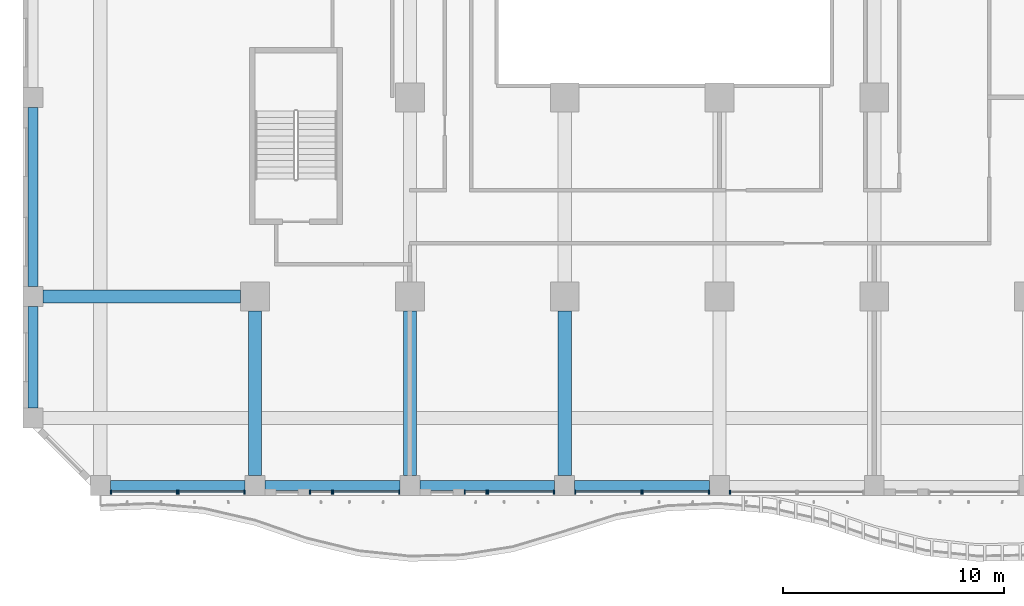
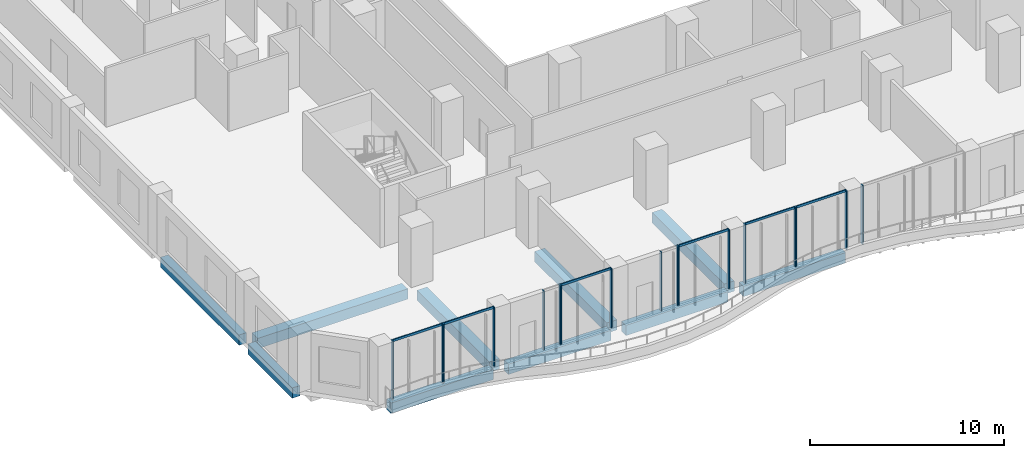
# One storey, part 2 of 25: 23 members, 10 beams, 9 elements without a shape of their own.
"""IFC4 building model written with IfcOpenShell, lengths in metres."""

from ifc_helpers import new_model, si_unit, direction, frame, origin, origin_2d, place, context, subcontext, project, spatial, rectangle, extrude, source, transform, mapped, material, material_profile, profile_set, type_object, element, aggregate, save


model = new_model("IFC4")

# Units and contexts
model_context = context("Model", 3, precision=1e-05, world=origin(), true_north=direction((0.0, 1.0)))
body_context = subcontext(model_context, "Body", "Model", "MODEL_VIEW")
ifc_project = project(units=[si_unit("LENGTHUNIT", "METRE"), si_unit("AREAUNIT", "SQUARE_METRE"), si_unit("VOLUMEUNIT", "CUBIC_METRE"), si_unit("PLANEANGLEUNIT", "RADIAN"), si_unit("MASSUNIT", "GRAM", prefix="KILO")], contexts=[model_context])

# Site, building, storey
site_placement = place(None, origin())
site = spatial("IfcSite", under=ifc_project, at=site_placement, CompositionType="ELEMENT")
building_placement = place(site_placement, origin())
building = spatial("IfcBuilding", under=site, at=building_placement, Name="Kilnfold Tower and Market Hall", CompositionType="ELEMENT")
storey_placement = place(building_placement, frame((0.0, 0.0, 39.0)))
storey = spatial("IfcBuildingStorey", under=building, at=storey_placement, Name="L08", CompositionType="ELEMENT", Elevation=39.0)

# Beams
ifc_material_1 = material(Name="Concrete C45", Category="concrete")
ifc_material_profile_1 = material_profile(ifc_material_1, rectangle(XDim=0.449951171875, YDim=0.64990234375, at=origin_2d()), Name="RC 450x650")
ifc_profile_set_1 = profile_set([ifc_material_profile_1], Name="Concrete C45")
beam_type_1 = type_object("IfcBeamType", Name="EDGE BEAM 450X650 C45", PredefinedType="BEAM", material=ifc_profile_set_1)
shared_shape_1 = source(origin(), body_context, "Body", "SweptSolid", [
    extrude(rectangle(XDim=0.449951171875, YDim=0.64990234375, at=origin_2d()), origin(), (0.0, 0.0, 1.0), 6.10009765625),
])
for number, where, z_axis, x_axis, name in (
    (1, (-24.050048828125, -27.550048828125, -0.60498046875), (1.0, 0.0, 0.0), (0.0, 1.0, 0.0), "Beam EB650-B1.1"),
    (2, (-17.050048828125, -27.550048828125, -0.60498046875), (1.0, 0.0, 0.0), (0.0, 1.0, 0.0), "Beam EB650-B1.54"),
    (3, (-10.050048828125, -27.550048828125, -0.60498046875), (1.0, 0.0, 0.0), (0.0, 1.0, 0.0), "Beam EB650-B1.2"),
    (4, (-3.050048828125, -27.550048828125, -0.60498046875), (1.0, 0.0, 0.0), (0.0, 1.0, 0.0), "Beam EB650-B1.3"),
):
    element("IfcBeam", number, at=place(storey_placement, frame(where, z_axis=z_axis, x_axis=x_axis)), inside=storey, type_object=beam_type_1, Name=name, PredefinedType="BEAM", context=body_context, shape_type="MappedRepresentation", body=[
        mapped(shared_shape_1, transform((0.0, 0.0, 0.0))),
    ])
ifc_material_2 = material(Name="Concrete C45", Category="concrete")
ifc_material_profile_2 = material_profile(ifc_material_2, rectangle(XDim=0.60009765625, YDim=0.64990234375, at=origin_2d()), Name="RC 600x650")
ifc_profile_set_2 = profile_set([ifc_material_profile_2], Name="Concrete C45")
beam_type_2 = type_object("IfcBeamType", Name="BEAM 600X650 C45", PredefinedType="BEAM", material=ifc_profile_set_2)
shared_shape_2 = source(origin(), body_context, "Body", "SweptSolid", [
    extrude(rectangle(XDim=0.60009765625, YDim=0.64990234375, at=origin_2d()), origin(), (0.0, 0.0, 1.0), 8.9501953125),
])
beam_1_placement = place(storey_placement, frame((-27.10009765625, -19.0, -0.60498046875), z_axis=(1.0, 0.0, 0.0), x_axis=(0.0, 1.0, 0.0)))
element("IfcBeam", 5, at=beam_1_placement, inside=storey, type_object=beam_type_2, Name="Beam BB650-B1.7", PredefinedType="BEAM", context=body_context, shape_type="MappedRepresentation", body=[
    mapped(shared_shape_2, transform((0.0, 0.0, 0.0))),
])
shared_shape_3 = source(origin(), body_context, "Body", "SweptSolid", [
    extrude(rectangle(XDim=0.449951171875, YDim=0.64990234375, at=origin_2d()), origin(), (0.0, 0.0, 1.0), 4.60009765625),
])
beam_2_placement = place(storey_placement, frame((-27.550048828125, -24.050048828125, -0.60498046875), z_axis=(0.0, 1.0, 0.0), x_axis=(-1.0, 0.0, 0.0)))
element("IfcBeam", 6, at=beam_2_placement, inside=storey, type_object=beam_type_1, Name="Beam EB650-B1.30", PredefinedType="BEAM", context=body_context, shape_type="MappedRepresentation", body=[
    mapped(shared_shape_3, transform((0.0, 0.0, 0.0))),
])
shared_shape_4 = source(origin(), body_context, "Body", "SweptSolid", [
    extrude(rectangle(XDim=0.449951171875, YDim=0.64990234375, at=origin_2d()), origin(), (0.0, 0.0, 1.0), 8.10009765625),
])
beam_3_placement = place(storey_placement, frame((-27.550048828125, -18.550048828125, -0.60498046875), z_axis=(0.0, 1.0, 0.0), x_axis=(-1.0, 0.0, 0.0)))
element("IfcBeam", 7, at=beam_3_placement, inside=storey, type_object=beam_type_1, Name="Beam EB650-B1.31", PredefinedType="BEAM", context=body_context, shape_type="MappedRepresentation", body=[
    mapped(shared_shape_4, transform((0.0, 0.0, 0.0))),
])
shared_shape_5 = source(origin(), body_context, "Body", "SweptSolid", [
    extrude(rectangle(XDim=0.60009765625, YDim=0.64990234375, at=origin_2d()), origin(), (0.0, 0.0, 1.0), 7.4501953125),
])
for number, where, z_axis, x_axis, name in (
    (8, (-17.5, -27.10009765625, -0.60498046875), (0.0, 1.0, 0.0), (-1.0, 0.0, 0.0), "Beam BB650-B1.36"),
    (9, (-10.5, -27.10009765625, -0.60498046875), (0.0, 1.0, 0.0), (-1.0, 0.0, 0.0), "Beam BB650-B1.40"),
    (10, (-3.5, -27.10009765625, -0.60498046875), (0.0, 1.0, 0.0), (-1.0, 0.0, 0.0), "Beam BB650-B1.43"),
):
    element("IfcBeam", number, at=place(storey_placement, frame(where, z_axis=z_axis, x_axis=x_axis)), inside=storey, type_object=beam_type_2, Name=name, PredefinedType="BEAM", context=body_context, shape_type="MappedRepresentation", body=[
        mapped(shared_shape_5, transform((0.0, 0.0, 0.0))),
    ])

# Curtain wall, members
ifc_material_3 = material(Name="Aluminium and double glazing", Category="aluminium")
curtain_wall_type = type_object("IfcCurtainWallType", Name="CW OF1 VALLEY GLAZING", PredefinedType="NOTDEFINED", material=ifc_material_3)
curtain_wall_1_placement = place(storey_placement, origin())
curtain_wall_1 = element("IfcCurtainWall", 11, at=curtain_wall_1_placement, inside=storey, type_object=curtain_wall_type, Name="Curtain wall CW1 L08 S", PredefinedType="NOTDEFINED")
ifc_material_4 = material(Name="Aluminium", Category="aluminium")
ifc_material_profile_3 = material_profile(ifc_material_4, rectangle(XDim=0.06005859375, YDim=0.179931640625, at=origin_2d()), Name="MULLION 60x180")
ifc_profile_set_3 = profile_set([ifc_material_profile_3], Name="Aluminium")
member_type_1 = type_object("IfcMemberType", Name="MULLION 60X180", PredefinedType="MULLION", material=ifc_profile_set_3)
shared_shape_6 = source(origin(), body_context, "Body", "SweptSolid", [
    extrude(rectangle(XDim=0.06005859375, YDim=0.179931640625, at=origin_2d()), origin(), (0.0, 0.0, 1.0), 3.719970703125),
])
member_1_placement = place(storey_placement, frame((-24.02001953125, -27.85009765625, 0.0), z_axis=(0.0, 0.0, 1.0), x_axis=(1.0, 0.0, 0.0)))
member_1 = element("IfcMember", 12, at=member_1_placement, type_object=member_type_1, Name="CW1 mullion 1", PredefinedType="MULLION", context=body_context, shape_type="MappedRepresentation", body=[
    mapped(shared_shape_6, transform((0.0, 0.0, 0.0))),
])
member_2_placement = place(storey_placement, frame((-21.030029296875, -27.85009765625, 0.0), z_axis=(0.0, 0.0, 1.0), x_axis=(1.0, 0.0, 0.0)))
member_2 = element("IfcMember", 13, at=member_2_placement, type_object=member_type_1, Name="CW1 mullion 2", PredefinedType="MULLION", context=body_context, shape_type="MappedRepresentation", body=[
    mapped(shared_shape_6, transform((0.0, 0.0, 0.0))),
])

curtain_wall_2_placement = place(storey_placement, origin())
curtain_wall_2 = element("IfcCurtainWall", 14, at=curtain_wall_2_placement, inside=storey, type_object=curtain_wall_type, Name="Curtain wall CW1 L08 S", PredefinedType="NOTDEFINED")
member_3_placement = place(storey_placement, frame((-20.969970703125, -27.85009765625, 0.0), z_axis=(0.0, 0.0, 1.0), x_axis=(1.0, 0.0, 0.0)))
member_3 = element("IfcMember", 15, at=member_3_placement, type_object=member_type_1, Name="CW1 mullion 1", PredefinedType="MULLION", context=body_context, shape_type="MappedRepresentation", body=[
    mapped(shared_shape_6, transform((0.0, 0.0, 0.0))),
])
member_4_placement = place(storey_placement, frame((-17.97998046875, -27.85009765625, 0.0), z_axis=(0.0, 0.0, 1.0), x_axis=(1.0, 0.0, 0.0)))
member_4 = element("IfcMember", 16, at=member_4_placement, type_object=member_type_1, Name="CW1 mullion 2", PredefinedType="MULLION", context=body_context, shape_type="MappedRepresentation", body=[
    mapped(shared_shape_6, transform((0.0, 0.0, 0.0))),
])

curtain_wall_3_placement = place(storey_placement, origin())
curtain_wall_3 = element("IfcCurtainWall", 17, at=curtain_wall_3_placement, inside=storey, type_object=curtain_wall_type, Name="Curtain wall CW1 L08 S", PredefinedType="NOTDEFINED")
member_5_placement = place(storey_placement, frame((-15.02001953125, -27.85009765625, 0.0), z_axis=(0.0, 0.0, 1.0), x_axis=(1.0, 0.0, 0.0)))
member_5 = element("IfcMember", 18, at=member_5_placement, type_object=member_type_1, Name="CW1 mullion 1", PredefinedType="MULLION", context=body_context, shape_type="MappedRepresentation", body=[
    mapped(shared_shape_6, transform((0.0, 0.0, 0.0))),
])
member_6_placement = place(storey_placement, frame((-14.030029296875, -27.85009765625, 0.0), z_axis=(0.0, 0.0, 1.0), x_axis=(1.0, 0.0, 0.0)))
member_6 = element("IfcMember", 19, at=member_6_placement, type_object=member_type_1, Name="CW1 mullion 2", PredefinedType="MULLION", context=body_context, shape_type="MappedRepresentation", body=[
    mapped(shared_shape_6, transform((0.0, 0.0, 0.0))),
])
aggregate(curtain_wall_3, [member_5, member_6])

curtain_wall_4_placement = place(storey_placement, origin())
curtain_wall_4 = element("IfcCurtainWall", 20, at=curtain_wall_4_placement, inside=storey, type_object=curtain_wall_type, Name="Curtain wall CW1 L08 S", PredefinedType="NOTDEFINED")
member_7_placement = place(storey_placement, frame((-13.969970703125, -27.85009765625, 0.0), z_axis=(0.0, 0.0, 1.0), x_axis=(1.0, 0.0, 0.0)))
member_7 = element("IfcMember", 21, at=member_7_placement, type_object=member_type_1, Name="CW1 mullion 1", PredefinedType="MULLION", context=body_context, shape_type="MappedRepresentation", body=[
    mapped(shared_shape_6, transform((0.0, 0.0, 0.0))),
])
member_8_placement = place(storey_placement, frame((-10.97998046875, -27.85009765625, 0.0), z_axis=(0.0, 0.0, 1.0), x_axis=(1.0, 0.0, 0.0)))
member_8 = element("IfcMember", 22, at=member_8_placement, type_object=member_type_1, Name="CW1 mullion 2", PredefinedType="MULLION", context=body_context, shape_type="MappedRepresentation", body=[
    mapped(shared_shape_6, transform((0.0, 0.0, 0.0))),
])

curtain_wall_5_placement = place(storey_placement, origin())
curtain_wall_5 = element("IfcCurtainWall", 23, at=curtain_wall_5_placement, inside=storey, type_object=curtain_wall_type, Name="Curtain wall CW1 L08 S", PredefinedType="NOTDEFINED")
member_9_placement = place(storey_placement, frame((-8.02001953125, -27.85009765625, 0.0), z_axis=(0.0, 0.0, 1.0), x_axis=(1.0, 0.0, 0.0)))
member_9 = element("IfcMember", 24, at=member_9_placement, type_object=member_type_1, Name="CW1 mullion 1", PredefinedType="MULLION", context=body_context, shape_type="MappedRepresentation", body=[
    mapped(shared_shape_6, transform((0.0, 0.0, 0.0))),
])
member_10_placement = place(storey_placement, frame((-7.030029296875, -27.85009765625, 0.0), z_axis=(0.0, 0.0, 1.0), x_axis=(1.0, 0.0, 0.0)))
member_10 = element("IfcMember", 25, at=member_10_placement, type_object=member_type_1, Name="CW1 mullion 2", PredefinedType="MULLION", context=body_context, shape_type="MappedRepresentation", body=[
    mapped(shared_shape_6, transform((0.0, 0.0, 0.0))),
])
aggregate(curtain_wall_5, [member_9, member_10])

curtain_wall_6_placement = place(storey_placement, origin())
curtain_wall_6 = element("IfcCurtainWall", 26, at=curtain_wall_6_placement, inside=storey, type_object=curtain_wall_type, Name="Curtain wall CW1 L08 S", PredefinedType="NOTDEFINED")
member_11_placement = place(storey_placement, frame((-6.969970703125, -27.85009765625, 0.0), z_axis=(0.0, 0.0, 1.0), x_axis=(1.0, 0.0, 0.0)))
member_11 = element("IfcMember", 27, at=member_11_placement, type_object=member_type_1, Name="CW1 mullion 1", PredefinedType="MULLION", context=body_context, shape_type="MappedRepresentation", body=[
    mapped(shared_shape_6, transform((0.0, 0.0, 0.0))),
])
member_12_placement = place(storey_placement, frame((-3.97998046875, -27.85009765625, 0.0), z_axis=(0.0, 0.0, 1.0), x_axis=(1.0, 0.0, 0.0)))
member_12 = element("IfcMember", 28, at=member_12_placement, type_object=member_type_1, Name="CW1 mullion 2", PredefinedType="MULLION", context=body_context, shape_type="MappedRepresentation", body=[
    mapped(shared_shape_6, transform((0.0, 0.0, 0.0))),
])

curtain_wall_7_placement = place(storey_placement, origin())
curtain_wall_7 = element("IfcCurtainWall", 29, at=curtain_wall_7_placement, inside=storey, type_object=curtain_wall_type, Name="Curtain wall CW1 L08 S", PredefinedType="NOTDEFINED")
member_13_placement = place(storey_placement, frame((-3.02001953125, -27.85009765625, 0.0), z_axis=(0.0, 0.0, 1.0), x_axis=(1.0, 0.0, 0.0)))
member_13 = element("IfcMember", 30, at=member_13_placement, type_object=member_type_1, Name="CW1 mullion 1", PredefinedType="MULLION", context=body_context, shape_type="MappedRepresentation", body=[
    mapped(shared_shape_6, transform((0.0, 0.0, 0.0))),
])
member_14_placement = place(storey_placement, frame((-0.030029296875, -27.85009765625, 0.0), z_axis=(0.0, 0.0, 1.0), x_axis=(1.0, 0.0, 0.0)))
member_14 = element("IfcMember", 31, at=member_14_placement, type_object=member_type_1, Name="CW1 mullion 2", PredefinedType="MULLION", context=body_context, shape_type="MappedRepresentation", body=[
    mapped(shared_shape_6, transform((0.0, 0.0, 0.0))),
])

curtain_wall_8_placement = place(storey_placement, origin())
curtain_wall_8 = element("IfcCurtainWall", 32, at=curtain_wall_8_placement, inside=storey, type_object=curtain_wall_type, Name="Curtain wall CW1 L08 S", PredefinedType="NOTDEFINED")
member_15_placement = place(storey_placement, frame((0.030029296875, -27.85009765625, 0.0), z_axis=(0.0, 0.0, 1.0), x_axis=(1.0, 0.0, 0.0)))
member_15 = element("IfcMember", 33, at=member_15_placement, type_object=member_type_1, Name="CW1 mullion 1", PredefinedType="MULLION", context=body_context, shape_type="MappedRepresentation", body=[
    mapped(shared_shape_6, transform((0.0, 0.0, 0.0))),
])
member_16_placement = place(storey_placement, frame((3.02001953125, -27.85009765625, 0.0), z_axis=(0.0, 0.0, 1.0), x_axis=(1.0, 0.0, 0.0)))
member_16 = element("IfcMember", 34, at=member_16_placement, type_object=member_type_1, Name="CW1 mullion 2", PredefinedType="MULLION", context=body_context, shape_type="MappedRepresentation", body=[
    mapped(shared_shape_6, transform((0.0, 0.0, 0.0))),
])

# Curtain wall, member
curtain_wall_9_placement = place(storey_placement, origin())
curtain_wall_9 = element("IfcCurtainWall", 35, at=curtain_wall_9_placement, inside=storey, type_object=curtain_wall_type, Name="Curtain wall CW1 L08 S", PredefinedType="NOTDEFINED")
member_17_placement = place(storey_placement, frame((3.97998046875, -27.85009765625, 0.0), z_axis=(0.0, 0.0, 1.0), x_axis=(1.0, 0.0, 0.0)))
member_17 = element("IfcMember", 36, at=member_17_placement, type_object=member_type_1, Name="CW1 mullion 1", PredefinedType="MULLION", context=body_context, shape_type="MappedRepresentation", body=[
    mapped(shared_shape_6, transform((0.0, 0.0, 0.0))),
])
aggregate(curtain_wall_9, [member_17])

# Member
ifc_material_5 = material(Name="Aluminium", Category="aluminium")
ifc_material_profile_4 = material_profile(ifc_material_5, rectangle(XDim=0.06005859375, YDim=0.139892578125, at=origin_2d()), Name="TRANSOM 60x140")
ifc_profile_set_4 = profile_set([ifc_material_profile_4], Name="Aluminium")
member_type_2 = type_object("IfcMemberType", Name="TRANSOM 60X140", PredefinedType="USERDEFINED", material=ifc_profile_set_4)
shared_shape_7 = source(origin(), body_context, "Body", "SweptSolid", [
    extrude(rectangle(XDim=0.06005859375, YDim=0.139892578125, at=origin_2d()), origin(), (0.0, 0.0, 1.0), 2.929931640625),
])
member_18_placement = place(storey_placement, frame((-23.989990234375, -27.85009765625, 3.68994140625), z_axis=(1.0, 0.0, 0.0), x_axis=(0.0, 1.0, 0.0)))
member_18 = element("IfcMember", 37, at=member_18_placement, type_object=member_type_2, Name="CW1 transom 1.2", ObjectType="TRANSOM", PredefinedType="USERDEFINED", context=body_context, shape_type="MappedRepresentation", body=[
    mapped(shared_shape_7, transform((0.0, 0.0, 0.0))),
])

aggregate(curtain_wall_1, [member_1, member_2, member_18])

member_19_placement = place(storey_placement, frame((-20.93994140625, -27.85009765625, 3.68994140625), z_axis=(1.0, 0.0, 0.0), x_axis=(0.0, 1.0, 0.0)))
member_19 = element("IfcMember", 38, at=member_19_placement, type_object=member_type_2, Name="CW1 transom 1.2", ObjectType="TRANSOM", PredefinedType="USERDEFINED", context=body_context, shape_type="MappedRepresentation", body=[
    mapped(shared_shape_7, transform((0.0, 0.0, 0.0))),
])

aggregate(curtain_wall_2, [member_3, member_4, member_19])

member_20_placement = place(storey_placement, frame((-13.93994140625, -27.85009765625, 3.68994140625), z_axis=(1.0, 0.0, 0.0), x_axis=(0.0, 1.0, 0.0)))
member_20 = element("IfcMember", 39, at=member_20_placement, type_object=member_type_2, Name="CW1 transom 1.2", ObjectType="TRANSOM", PredefinedType="USERDEFINED", context=body_context, shape_type="MappedRepresentation", body=[
    mapped(shared_shape_7, transform((0.0, 0.0, 0.0))),
])

aggregate(curtain_wall_4, [member_7, member_8, member_20])

member_21_placement = place(storey_placement, frame((-6.93994140625, -27.85009765625, 3.68994140625), z_axis=(1.0, 0.0, 0.0), x_axis=(0.0, 1.0, 0.0)))
member_21 = element("IfcMember", 40, at=member_21_placement, type_object=member_type_2, Name="CW1 transom 1.2", ObjectType="TRANSOM", PredefinedType="USERDEFINED", context=body_context, shape_type="MappedRepresentation", body=[
    mapped(shared_shape_7, transform((0.0, 0.0, 0.0))),
])

aggregate(curtain_wall_6, [member_11, member_12, member_21])

member_22_placement = place(storey_placement, frame((-2.989990234375, -27.85009765625, 3.68994140625), z_axis=(1.0, 0.0, 0.0), x_axis=(0.0, 1.0, 0.0)))
member_22 = element("IfcMember", 41, at=member_22_placement, type_object=member_type_2, Name="CW1 transom 1.2", ObjectType="TRANSOM", PredefinedType="USERDEFINED", context=body_context, shape_type="MappedRepresentation", body=[
    mapped(shared_shape_7, transform((0.0, 0.0, 0.0))),
])

aggregate(curtain_wall_7, [member_13, member_14, member_22])

member_23_placement = place(storey_placement, frame((0.06005859375, -27.85009765625, 3.68994140625), z_axis=(1.0, 0.0, 0.0), x_axis=(0.0, 1.0, 0.0)))
member_23 = element("IfcMember", 42, at=member_23_placement, type_object=member_type_2, Name="CW1 transom 1.2", ObjectType="TRANSOM", PredefinedType="USERDEFINED", context=body_context, shape_type="MappedRepresentation", body=[
    mapped(shared_shape_7, transform((0.0, 0.0, 0.0))),
])

aggregate(curtain_wall_8, [member_15, member_16, member_23])

save(model, "model.ifc")
